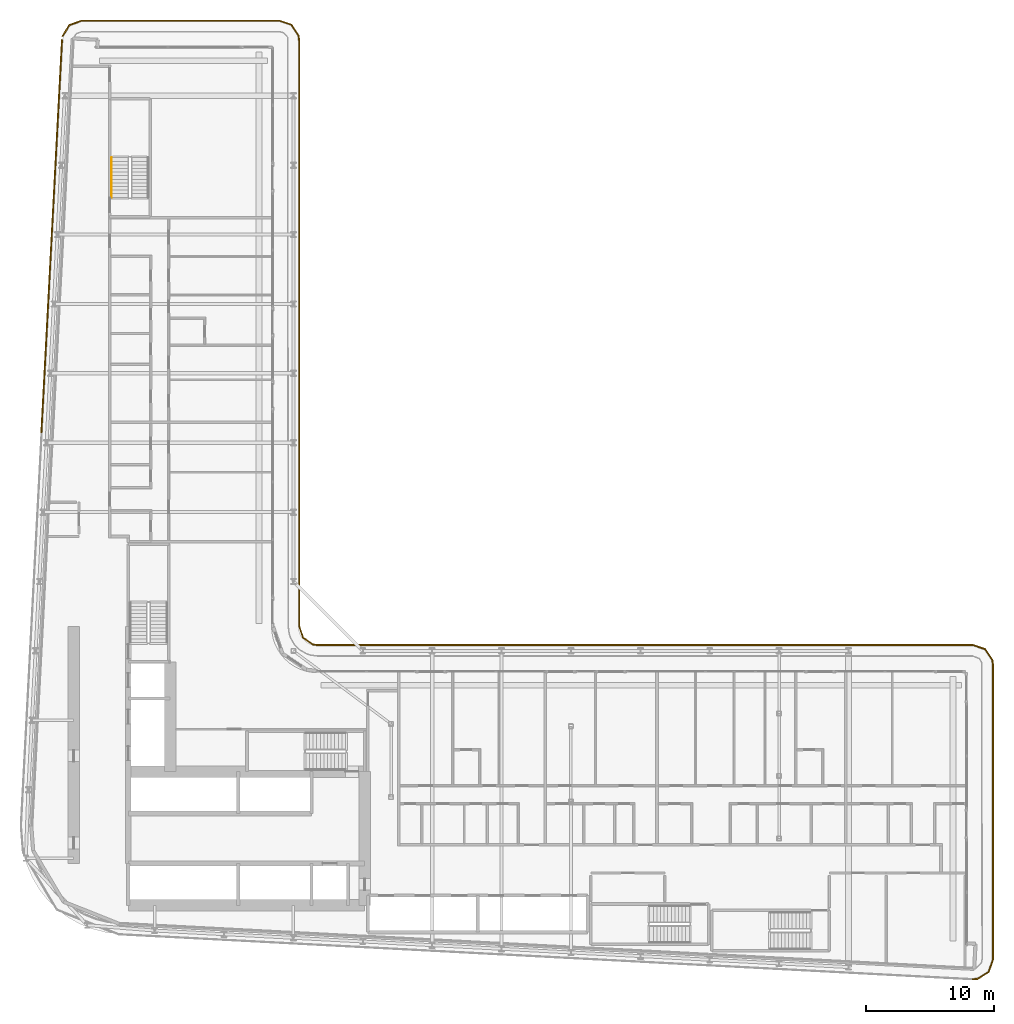
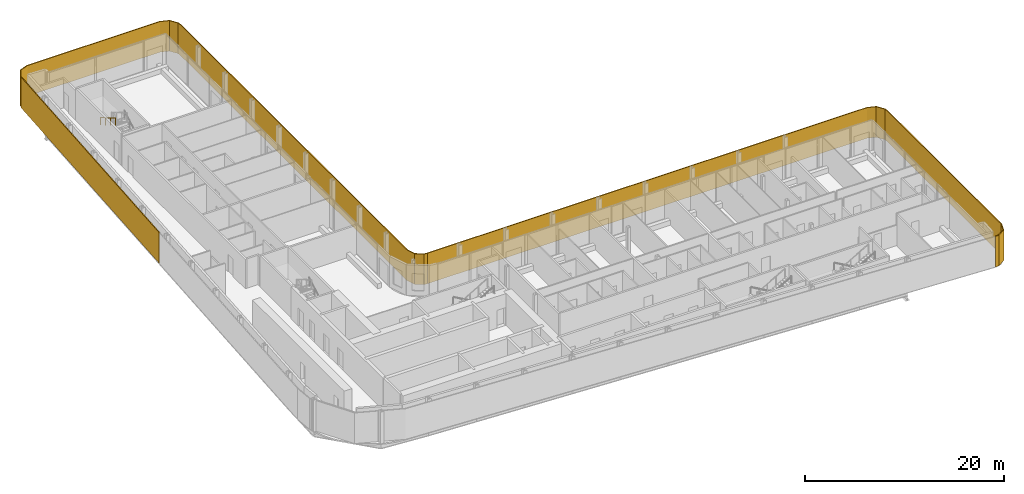
# One storey, part 23 of 25: 3 shading devices, 1 railing.
"""IFC4 building model written with IfcOpenShell, lengths in metres."""

from ifc_helpers import new_model, si_unit, direction, frame, origin, origin_2d, place, context, subcontext, project, spatial, polyline, rectangle, circle, outline, extrude, material, layer, layer_set, type_object, element, save


model = new_model("IFC4")

# Units and contexts
model_context = context("Model", 3, precision=1e-05, world=origin(), true_north=direction((0.0, 1.0)))
body_context = subcontext(model_context, "Body", "Model", "MODEL_VIEW")
ifc_project = project(units=[si_unit("LENGTHUNIT", "METRE"), si_unit("AREAUNIT", "SQUARE_METRE"), si_unit("VOLUMEUNIT", "CUBIC_METRE"), si_unit("PLANEANGLEUNIT", "RADIAN"), si_unit("MASSUNIT", "GRAM", prefix="KILO")], contexts=[model_context])

# Site, building, storey
site_placement = place(None, origin())
site = spatial("IfcSite", under=ifc_project, at=site_placement, CompositionType="ELEMENT")
building_placement = place(site_placement, origin())
building = spatial("IfcBuilding", under=site, at=building_placement, Name="Kheshtan School and Residences Tower", CompositionType="ELEMENT")
storey_placement = place(building_placement, frame((0.0, 0.0, 113.60009765625)))
storey = spatial("IfcBuildingStorey", under=building, at=storey_placement, Name="L26", CompositionType="ELEMENT", Elevation=113.60009765625)

# Shading devices
ifc_material_1 = material(Name="Terracotta baguette, extruded ceramic", Category="masonry")
ifc_layer_1 = layer(ifc_material_1, 0.10009765625)
ifc_layer_set_1 = layer_set([ifc_layer_1], Name="Ledge screen, terracotta baguettes")
shading_device_type_1 = type_object("IfcShadingDeviceType", Name="Ledge screen, terracotta baguettes", PredefinedType="USERDEFINED", material=ifc_layer_set_1)
shading_device_1_placement = place(storey_placement, frame((28.785888671875, 77.884033203125, 0.0), z_axis=(0.0, 0.0, 1.0), x_axis=(0.052562536748, 0.998617634398, 0.0)))
element("IfcShadingDevice", 1, at=shading_device_1_placement, inside=storey, type_object=shading_device_type_1, Name="Screen L26 5", ObjectType="BAGUETTE", PredefinedType="USERDEFINED", context=body_context, shape_type="SweptSolid", body=[
    extrude(rectangle(XDim=30.636962890625, YDim=0.10009765625, at=origin_2d()), origin(), (0.0, 0.0, 1.0), 3.75),
])
ifc_material_2 = material(Name="Terracotta lattice, extruded ceramic", Category="masonry")
ifc_layer_2 = layer(ifc_material_2, 0.10009765625)
ifc_layer_set_2 = layer_set([ifc_layer_2], Name="Loggia screen, terracotta lattice")
shading_device_type_2 = type_object("IfcShadingDeviceType", Name="Loggia screen, terracotta lattice", PredefinedType="USERDEFINED", material=ifc_layer_set_2)
shading_device_2_placement = place(storey_placement, origin())
element("IfcShadingDevice", 2, at=shading_device_2_placement, inside=storey, type_object=shading_device_type_2, Name="Screen L26 1", ObjectType="SCREEN", PredefinedType="USERDEFINED", context=body_context, shape_type="SweptSolid", body=[
    extrude(outline(polyline([(29.666015625, 93.384033203125), (30.18408203125, 94.257080078125), (31.138916015625, 94.60009765625), (46.5, 94.60009765625), (47.4130859375, 94.2900390625), (47.948974609375, 93.488037109375), (48.0, 93.10009765625), (48.0, 47.5), (48.31005859375, 46.5869140625), (49.112060546875, 46.051025390625), (49.5, 46.0), (49.512939453125, 46.09912109375), (49.14794921875, 46.14697265625), (48.39404296875, 46.65087890625), (48.10009765625, 47.51708984375), (48.10009765625, 93.10693359375), (48.044921875, 93.52392578125), (47.47705078125, 94.3740234375), (46.51708984375, 94.699951171875), (31.1220703125, 94.699951171875), (30.115966796875, 94.339111328125), (29.580078125, 93.43505859375), (29.666015625, 93.384033203125)])), origin(), (0.0, 0.0, 1.0), 3.75),
])
shading_device_3_placement = place(storey_placement, origin())
element("IfcShadingDevice", 3, at=shading_device_3_placement, inside=storey, type_object=shading_device_type_2, Name="Screen L26 2", ObjectType="SCREEN", PredefinedType="USERDEFINED", context=body_context, shape_type="SweptSolid", body=[
    extrude(outline(polyline([(49.5, 46.0), (100.5, 46.0), (101.4130859375, 45.68994140625), (101.948974609375, 44.887939453125), (102.0, 44.5), (102.0, 21.5810546875), (101.669921875, 20.64208984375), (100.823974609375, 20.116943359375), (100.4208984375, 20.0830078125), (100.428955078125, 19.98291015625), (100.85595703125, 20.01904296875), (101.7529296875, 20.575927734375), (102.10009765625, 21.56396484375), (102.10009765625, 44.507080078125), (102.044921875, 44.924072265625), (101.47705078125, 45.77392578125), (100.51708984375, 46.10009765625), (49.5, 46.10009765625), (49.5, 46.0)])), origin(), (0.0, 0.0, 1.0), 3.75),
])

# Railing
ifc_material_3 = material(Name="Stainless steel handrail", Category="steel")
railing_type = type_object("IfcRailingType", Name="Stair handrail 900", PredefinedType="HANDRAIL", material=ifc_material_3)
railing_placement = place(storey_placement, frame((33.449951171875, 83.97998046875, 2.1123046875)))
element("IfcRailing", 4, at=railing_placement, inside=storey, type_object=railing_type, Name="L26 ST3 stair handrail 2", PredefinedType="HANDRAIL", context=body_context, shape_type="SweptSolid", body=[
    extrude(circle(Radius=0.02392578125, at=origin_2d()), frame((0.0, 0.0, 0.8759765625), z_axis=(0.0, -0.864890721111, 0.501960198159), x_axis=(1.0, 0.0, 0.0)), (0.0, 0.0, 1.0), 3.561279296875),
    extrude(circle(Radius=0.02099609375, at=origin_2d()), origin(), (0.0, 0.0, 1.0), 0.851806640625),
    extrude(circle(Radius=0.02099609375, at=origin_2d()), frame((0.0, -1.026611328125, 0.595947265625)), (0.0, 0.0, 1.0), 0.851806640625),
    extrude(circle(Radius=0.02099609375, at=origin_2d()), frame((0.0, -2.053466796875, 1.191650390625)), (0.0, 0.0, 1.0), 0.851806640625),
    extrude(circle(Radius=0.02099609375, at=origin_2d()), frame((0.0, -3.080078125, 1.78759765625)), (0.0, 0.0, 1.0), 0.851806640625),
])

save(model, "model.ifc")
